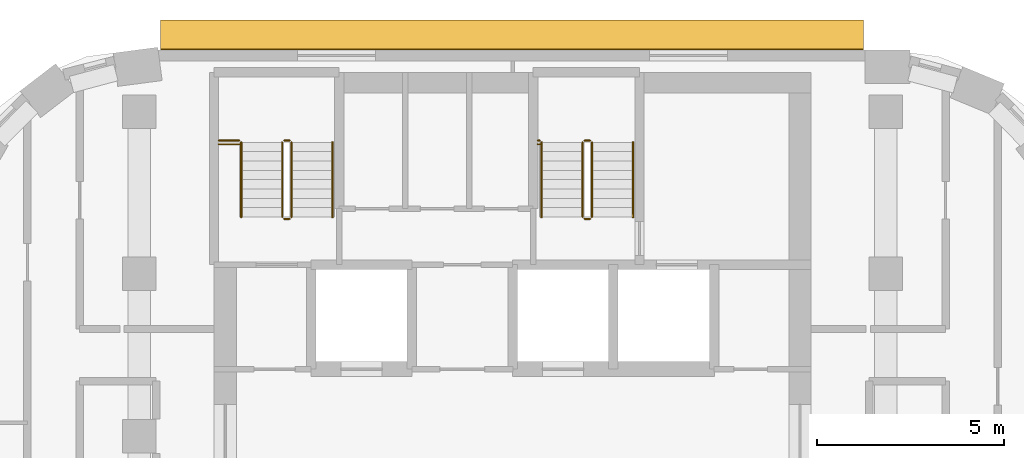
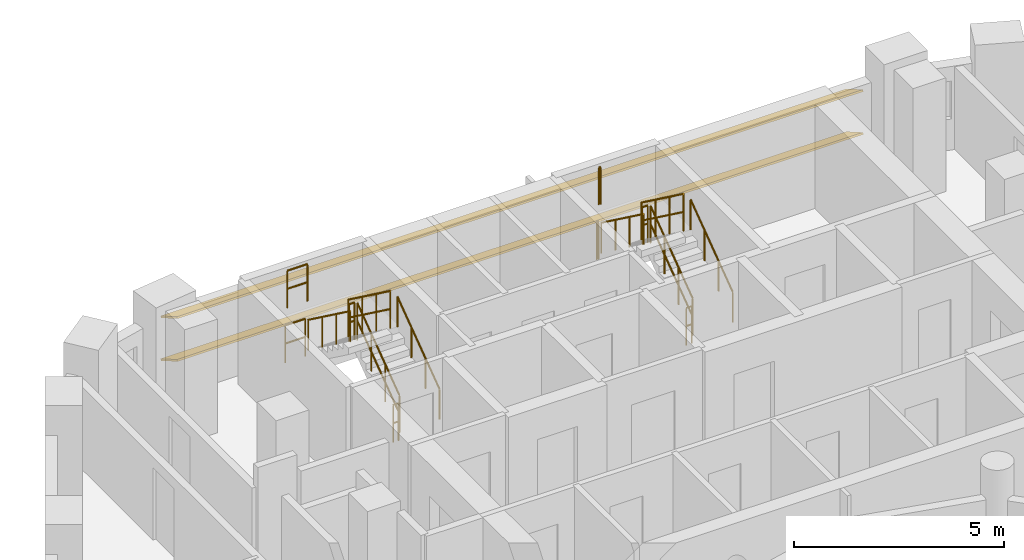
# One storey, part 17 of 17: 16 railings, 2 shading devices.
"""IFC4 building model written with IfcOpenShell, lengths in metres."""

from ifc_helpers import new_model, si_unit, direction, frame, origin, origin_2d, place, context, subcontext, project, spatial, rectangle, circle, extrude, material, material_profile, profile_set, type_object, element, save


model = new_model("IFC4")

# Units and contexts
model_context = context("Model", 3, precision=1e-05, world=origin(), true_north=direction((0.0, 1.0)))
body_context = subcontext(model_context, "Body", "Model", "MODEL_VIEW")
ifc_project = project(units=[si_unit("LENGTHUNIT", "METRE"), si_unit("AREAUNIT", "SQUARE_METRE"), si_unit("VOLUMEUNIT", "CUBIC_METRE"), si_unit("PLANEANGLEUNIT", "RADIAN"), si_unit("MASSUNIT", "GRAM", prefix="KILO")], contexts=[model_context])

# Site, building, storey
site_placement = place(None, origin())
site = spatial("IfcSite", under=ifc_project, at=site_placement, CompositionType="ELEMENT")
building_placement = place(site_placement, origin())
building = spatial("IfcBuilding", under=site, at=building_placement, Name="Nakaniwa Court", CompositionType="ELEMENT")
storey_placement = place(building_placement, frame((0.0, 0.0, 209.699951171875)))
storey = spatial("IfcBuildingStorey", under=building, at=storey_placement, Name="L55", CompositionType="ELEMENT", Elevation=209.699951171875)

# Shading devices
ifc_material_1 = material(Name="Perforated charcoal ceramic louvre blade")
ifc_material_profile = material_profile(ifc_material_1, rectangle(XDim=0.89990234375, YDim=0.050048828125, at=origin_2d()), Name="Perforated ceramic louvre blade")
ifc_profile_set = profile_set([ifc_material_profile], Name="Perforated charcoal ceramic louvre blade")
shading_device_type = type_object("IfcShadingDeviceType", Name="Perforated ceramic louvre blade", PredefinedType="JALOUSIE", material=ifc_profile_set)
for number, where, z_axis, x_axis, name in (
    (1, (89.3994140625, 103.05224609375, 0.550048828125), (-1.0, 0.0, 0.0), (0.0, -0.866025403784, 0.5), "L55 perforated ceramic louvre blade w08 1"),
    (2, (89.3994140625, 103.05224609375, 1.79345703125), (-1.0, 0.0, 0.0), (0.0, -0.866025403784, 0.5), "L55 perforated ceramic louvre blade w08 2"),
):
    element("IfcShadingDevice", number, at=place(storey_placement, frame(where, z_axis=z_axis, x_axis=x_axis)), inside=storey, type_object=shading_device_type, Name=name, PredefinedType="JALOUSIE", context=body_context, shape_type="SweptSolid", body=[
        extrude(rectangle(XDim=0.89990234375, YDim=0.050048828125, at=origin_2d()), origin(), (0.0, 0.0, 1.0), 18.8330078125),
    ])

# Railings
ifc_material_2 = material(Name="Black powder coated steel guard", Category="steel")
railing_type_1 = type_object("IfcRailingType", Name="Stair guard 1100", PredefinedType="GUARDRAIL", material=ifc_material_2)
railing_1_placement = place(storey_placement, frame((74.074951171875, 98.175048828125, 0.183349609375)))
element("IfcRailing", 3, at=railing_1_placement, inside=storey, type_object=railing_type_1, Name="L55 ST1 stair guard 1", PredefinedType="GUARDRAIL", context=body_context, shape_type="SweptSolid", body=[
    extrude(circle(Radius=0.02392578125, at=origin_2d()), frame((0.0, 0.0, 1.076171875), z_axis=(0.0, 0.806379959628, 0.591397802423), x_axis=(-1.0, 0.0, 0.0)), (0.0, 0.0, 1.0), 2.480224609375),
    extrude(circle(Radius=0.02392578125, at=origin_2d()), frame((0.0, 0.0, 0.550048828125), z_axis=(0.0, 0.806379959628, 0.591397802423), x_axis=(-1.0, 0.0, 0.0)), (0.0, 0.0, 1.0), 2.480224609375),
    extrude(circle(Radius=0.02099609375, at=origin_2d()), origin(), (0.0, 0.0, 1.0), 1.052001953125),
    extrude(circle(Radius=0.02099609375, at=origin_2d()), frame((0.0, 0.666748046875, 0.489013671875)), (0.0, 0.0, 1.0), 1.052001953125),
    extrude(circle(Radius=0.02099609375, at=origin_2d()), frame((0.0, 1.333251953125, 0.977783203125)), (0.0, 0.0, 1.0), 1.052001953125),
    extrude(circle(Radius=0.02099609375, at=origin_2d()), frame((0.0, 2.0, 1.466796875)), (0.0, 0.0, 1.0), 1.052001953125),
])
railing_2_placement = place(storey_placement, frame((74.02490234375, 100.22509765625, 1.650146484375)))
element("IfcRailing", 4, at=railing_2_placement, inside=storey, type_object=railing_type_1, Name="L55 ST1 stair guard 2", PredefinedType="GUARDRAIL", context=body_context, shape_type="SweptSolid", body=[
    extrude(circle(Radius=0.02392578125, at=origin_2d()), frame((0.0, 0.0, 1.076171875), z_axis=(-1.0, 0.0, 0.0), x_axis=(0.0, -1.0, 0.0)), (0.0, 0.0, 1.0), 0.14990234375),
    extrude(circle(Radius=0.02392578125, at=origin_2d()), frame((0.0, 0.0, 0.550048828125), z_axis=(-1.0, 0.0, 0.0), x_axis=(0.0, -1.0, 0.0)), (0.0, 0.0, 1.0), 0.14990234375),
    extrude(circle(Radius=0.02099609375, at=origin_2d()), origin(), (0.0, 0.0, 1.0), 1.052001953125),
    extrude(circle(Radius=0.02099609375, at=origin_2d()), frame((-0.14990234375, 0.0, 0.0)), (0.0, 0.0, 1.0), 1.052001953125),
])
railing_3_placement = place(storey_placement, frame((73.824951171875, 100.175048828125, 1.83349609375)))
element("IfcRailing", 5, at=railing_3_placement, inside=storey, type_object=railing_type_1, Name="L55 ST1 stair guard 3", PredefinedType="GUARDRAIL", context=body_context, shape_type="SweptSolid", body=[
    extrude(circle(Radius=0.02392578125, at=origin_2d()), frame((0.0, 0.0, 1.076171875), z_axis=(0.0, -0.806426902644, 0.591333789573), x_axis=(1.0, 0.0, 0.0)), (0.0, 0.0, 1.0), 2.47998046875),
    extrude(circle(Radius=0.02392578125, at=origin_2d()), frame((0.0, 0.0, 0.550048828125), z_axis=(0.0, -0.806426902644, 0.591333789573), x_axis=(1.0, 0.0, 0.0)), (0.0, 0.0, 1.0), 2.47998046875),
    extrude(circle(Radius=0.02099609375, at=origin_2d()), origin(), (0.0, 0.0, 1.0), 1.052001953125),
    extrude(circle(Radius=0.02099609375, at=origin_2d()), frame((0.0, -0.666748046875, 0.48876953125)), (0.0, 0.0, 1.0), 1.052001953125),
    extrude(circle(Radius=0.02099609375, at=origin_2d()), frame((0.0, -1.333251953125, 0.977783203125)), (0.0, 0.0, 1.0), 1.052001953125),
    extrude(circle(Radius=0.02099609375, at=origin_2d()), frame((0.0, -2.0, 1.466552734375)), (0.0, 0.0, 1.0), 1.052001953125),
])
railing_4_placement = place(storey_placement, frame((74.02490234375, 98.125, 0.0)))
element("IfcRailing", 6, at=railing_4_placement, inside=storey, type_object=railing_type_1, Name="L55 ST1 stair guard 4", PredefinedType="GUARDRAIL", context=body_context, shape_type="SweptSolid", body=[
    extrude(circle(Radius=0.02392578125, at=origin_2d()), frame((0.0, 0.0, 1.076171875), z_axis=(-1.0, 0.0, 0.0), x_axis=(0.0, -1.0, 0.0)), (0.0, 0.0, 1.0), 0.14990234375),
    extrude(circle(Radius=0.02392578125, at=origin_2d()), frame((0.0, 0.0, 0.550048828125), z_axis=(-1.0, 0.0, 0.0), x_axis=(0.0, -1.0, 0.0)), (0.0, 0.0, 1.0), 0.14990234375),
    extrude(circle(Radius=0.02099609375, at=origin_2d()), origin(), (0.0, 0.0, 1.0), 1.052001953125),
    extrude(circle(Radius=0.02099609375, at=origin_2d()), frame((-0.14990234375, 0.0, 0.0)), (0.0, 0.0, 1.0), 1.052001953125),
])
for number, where, name in (
    (7, (72.125, 100.22509765625, 1.650146484375), "L55 ST1 landing side guard 1W"),
    (8, (72.125, 100.125, 3.300048828125), "L55 ST1 floor edge guard 1W"),
):
    element("IfcRailing", number, at=place(storey_placement, frame(where)), inside=storey, type_object=railing_type_1, Name=name, PredefinedType="GUARDRAIL", context=body_context, shape_type="SweptSolid", body=[
        extrude(circle(Radius=0.02392578125, at=origin_2d()), frame((0.0, 0.0, 1.076171875), z_axis=(1.0, 0.0, 0.0), x_axis=(0.0, 1.0, 0.0)), (0.0, 0.0, 1.0), 0.550048828125),
        extrude(circle(Radius=0.02392578125, at=origin_2d()), frame((0.0, 0.0, 0.550048828125), z_axis=(1.0, 0.0, 0.0), x_axis=(0.0, 1.0, 0.0)), (0.0, 0.0, 1.0), 0.550048828125),
        extrude(circle(Radius=0.02099609375, at=origin_2d()), origin(), (0.0, 0.0, 1.0), 1.052001953125),
        extrude(circle(Radius=0.02099609375, at=origin_2d()), frame((0.550048828125, 0.0, 0.0)), (0.0, 0.0, 1.0), 1.052001953125),
    ])
railing_5_placement = place(storey_placement, frame((82.125, 98.175048828125, 0.183349609375)))
element("IfcRailing", 9, at=railing_5_placement, inside=storey, type_object=railing_type_1, Name="L55 ST2 stair guard 1", PredefinedType="GUARDRAIL", context=body_context, shape_type="SweptSolid", body=[
    extrude(circle(Radius=0.02392578125, at=origin_2d()), frame((0.0, 0.0, 1.076171875), z_axis=(0.0, 0.806379959628, 0.591397802423), x_axis=(-1.0, 0.0, 0.0)), (0.0, 0.0, 1.0), 2.480224609375),
    extrude(circle(Radius=0.02392578125, at=origin_2d()), frame((0.0, 0.0, 0.550048828125), z_axis=(0.0, 0.806379959628, 0.591397802423), x_axis=(-1.0, 0.0, 0.0)), (0.0, 0.0, 1.0), 2.480224609375),
    extrude(circle(Radius=0.02099609375, at=origin_2d()), origin(), (0.0, 0.0, 1.0), 1.052001953125),
    extrude(circle(Radius=0.02099609375, at=origin_2d()), frame((0.0, 0.666748046875, 0.489013671875)), (0.0, 0.0, 1.0), 1.052001953125),
    extrude(circle(Radius=0.02099609375, at=origin_2d()), frame((0.0, 1.333251953125, 0.977783203125)), (0.0, 0.0, 1.0), 1.052001953125),
    extrude(circle(Radius=0.02099609375, at=origin_2d()), frame((0.0, 2.0, 1.466796875)), (0.0, 0.0, 1.0), 1.052001953125),
])
railing_6_placement = place(storey_placement, frame((82.074951171875, 100.22509765625, 1.650146484375)))
element("IfcRailing", 10, at=railing_6_placement, inside=storey, type_object=railing_type_1, Name="L55 ST2 stair guard 2", PredefinedType="GUARDRAIL", context=body_context, shape_type="SweptSolid", body=[
    extrude(circle(Radius=0.02392578125, at=origin_2d()), frame((0.0, 0.0, 1.076171875), z_axis=(-1.0, 0.0, 0.0), x_axis=(0.0, -1.0, 0.0)), (0.0, 0.0, 1.0), 0.14990234375),
    extrude(circle(Radius=0.02392578125, at=origin_2d()), frame((0.0, 0.0, 0.550048828125), z_axis=(-1.0, 0.0, 0.0), x_axis=(0.0, -1.0, 0.0)), (0.0, 0.0, 1.0), 0.14990234375),
    extrude(circle(Radius=0.02099609375, at=origin_2d()), origin(), (0.0, 0.0, 1.0), 1.052001953125),
    extrude(circle(Radius=0.02099609375, at=origin_2d()), frame((-0.14990234375, 0.0, 0.0)), (0.0, 0.0, 1.0), 1.052001953125),
])
railing_7_placement = place(storey_placement, frame((81.875, 100.175048828125, 1.83349609375)))
element("IfcRailing", 11, at=railing_7_placement, inside=storey, type_object=railing_type_1, Name="L55 ST2 stair guard 3", PredefinedType="GUARDRAIL", context=body_context, shape_type="SweptSolid", body=[
    extrude(circle(Radius=0.02392578125, at=origin_2d()), frame((0.0, 0.0, 1.076171875), z_axis=(0.0, -0.806426902644, 0.591333789573), x_axis=(1.0, 0.0, 0.0)), (0.0, 0.0, 1.0), 2.47998046875),
    extrude(circle(Radius=0.02392578125, at=origin_2d()), frame((0.0, 0.0, 0.550048828125), z_axis=(0.0, -0.806426902644, 0.591333789573), x_axis=(1.0, 0.0, 0.0)), (0.0, 0.0, 1.0), 2.47998046875),
    extrude(circle(Radius=0.02099609375, at=origin_2d()), origin(), (0.0, 0.0, 1.0), 1.052001953125),
    extrude(circle(Radius=0.02099609375, at=origin_2d()), frame((0.0, -0.666748046875, 0.48876953125)), (0.0, 0.0, 1.0), 1.052001953125),
    extrude(circle(Radius=0.02099609375, at=origin_2d()), frame((0.0, -1.333251953125, 0.977783203125)), (0.0, 0.0, 1.0), 1.052001953125),
    extrude(circle(Radius=0.02099609375, at=origin_2d()), frame((0.0, -2.0, 1.466552734375)), (0.0, 0.0, 1.0), 1.052001953125),
])
railing_8_placement = place(storey_placement, frame((82.074951171875, 98.125, 0.0)))
element("IfcRailing", 12, at=railing_8_placement, inside=storey, type_object=railing_type_1, Name="L55 ST2 stair guard 4", PredefinedType="GUARDRAIL", context=body_context, shape_type="SweptSolid", body=[
    extrude(circle(Radius=0.02392578125, at=origin_2d()), frame((0.0, 0.0, 1.076171875), z_axis=(-1.0, 0.0, 0.0), x_axis=(0.0, -1.0, 0.0)), (0.0, 0.0, 1.0), 0.14990234375),
    extrude(circle(Radius=0.02392578125, at=origin_2d()), frame((0.0, 0.0, 0.550048828125), z_axis=(-1.0, 0.0, 0.0), x_axis=(0.0, -1.0, 0.0)), (0.0, 0.0, 1.0), 0.14990234375),
    extrude(circle(Radius=0.02099609375, at=origin_2d()), origin(), (0.0, 0.0, 1.0), 1.052001953125),
    extrude(circle(Radius=0.02099609375, at=origin_2d()), frame((-0.14990234375, 0.0, 0.0)), (0.0, 0.0, 1.0), 1.052001953125),
])
for number, where, name in (
    (13, (80.675048828125, 100.22509765625, 1.650146484375), "L55 ST2 landing side guard 1W"),
    (14, (80.675048828125, 100.125, 3.300048828125), "L55 ST2 floor edge guard 1W"),
):
    element("IfcRailing", number, at=place(storey_placement, frame(where)), inside=storey, type_object=railing_type_1, Name=name, PredefinedType="GUARDRAIL", context=body_context, shape_type="SweptSolid", body=[
        extrude(circle(Radius=0.02392578125, at=origin_2d()), frame((0.0, 0.0, 1.076171875), z_axis=(1.0, 0.0, 0.0), x_axis=(0.0, 1.0, 0.0)), (0.0, 0.0, 1.0), 0.050048828125),
        extrude(circle(Radius=0.02392578125, at=origin_2d()), frame((0.0, 0.0, 0.550048828125), z_axis=(1.0, 0.0, 0.0), x_axis=(0.0, 1.0, 0.0)), (0.0, 0.0, 1.0), 0.050048828125),
        extrude(circle(Radius=0.02099609375, at=origin_2d()), origin(), (0.0, 0.0, 1.0), 1.052001953125),
        extrude(circle(Radius=0.02099609375, at=origin_2d()), frame((0.050048828125, 0.0, 0.0)), (0.0, 0.0, 1.0), 1.052001953125),
    ])
ifc_material_3 = material(Name="Black powder coated steel handrail", Category="steel")
railing_type_2 = type_object("IfcRailingType", Name="Stair handrail 900", PredefinedType="HANDRAIL", material=ifc_material_3)
railing_9_placement = place(storey_placement, frame((75.175048828125, 98.175048828125, 0.183349609375)))
element("IfcRailing", 15, at=railing_9_placement, inside=storey, type_object=railing_type_2, Name="L55 ST1 stair handrail 1", PredefinedType="HANDRAIL", context=body_context, shape_type="SweptSolid", body=[
    extrude(circle(Radius=0.02392578125, at=origin_2d()), frame((0.0, 0.0, 0.8759765625), z_axis=(0.0, 0.806379959628, 0.591397802423), x_axis=(-1.0, 0.0, 0.0)), (0.0, 0.0, 1.0), 2.480224609375),
    extrude(circle(Radius=0.02099609375, at=origin_2d()), origin(), (0.0, 0.0, 1.0), 0.851806640625),
    extrude(circle(Radius=0.02099609375, at=origin_2d()), frame((0.0, 0.666748046875, 0.489013671875)), (0.0, 0.0, 1.0), 0.851806640625),
    extrude(circle(Radius=0.02099609375, at=origin_2d()), frame((0.0, 1.333251953125, 0.977783203125)), (0.0, 0.0, 1.0), 0.851806640625),
    extrude(circle(Radius=0.02099609375, at=origin_2d()), frame((0.0, 2.0, 1.466796875)), (0.0, 0.0, 1.0), 0.851806640625),
])
railing_10_placement = place(storey_placement, frame((72.72509765625, 100.175048828125, 1.83349609375)))
element("IfcRailing", 16, at=railing_10_placement, inside=storey, type_object=railing_type_2, Name="L55 ST1 stair handrail 2", PredefinedType="HANDRAIL", context=body_context, shape_type="SweptSolid", body=[
    extrude(circle(Radius=0.02392578125, at=origin_2d()), frame((0.0, 0.0, 0.8759765625), z_axis=(0.0, -0.806426902644, 0.591333789573), x_axis=(1.0, 0.0, 0.0)), (0.0, 0.0, 1.0), 2.47998046875),
    extrude(circle(Radius=0.02099609375, at=origin_2d()), origin(), (0.0, 0.0, 1.0), 0.851806640625),
    extrude(circle(Radius=0.02099609375, at=origin_2d()), frame((0.0, -0.666748046875, 0.48876953125)), (0.0, 0.0, 1.0), 0.851806640625),
    extrude(circle(Radius=0.02099609375, at=origin_2d()), frame((0.0, -1.333251953125, 0.977783203125)), (0.0, 0.0, 1.0), 0.851806640625),
    extrude(circle(Radius=0.02099609375, at=origin_2d()), frame((0.0, -2.0, 1.466552734375)), (0.0, 0.0, 1.0), 0.851806640625),
])
railing_11_placement = place(storey_placement, frame((83.22509765625, 98.175048828125, 0.183349609375)))
element("IfcRailing", 17, at=railing_11_placement, inside=storey, type_object=railing_type_2, Name="L55 ST2 stair handrail 1", PredefinedType="HANDRAIL", context=body_context, shape_type="SweptSolid", body=[
    extrude(circle(Radius=0.02392578125, at=origin_2d()), frame((0.0, 0.0, 0.8759765625), z_axis=(0.0, 0.806379959628, 0.591397802423), x_axis=(-1.0, 0.0, 0.0)), (0.0, 0.0, 1.0), 2.480224609375),
    extrude(circle(Radius=0.02099609375, at=origin_2d()), origin(), (0.0, 0.0, 1.0), 0.851806640625),
    extrude(circle(Radius=0.02099609375, at=origin_2d()), frame((0.0, 0.666748046875, 0.489013671875)), (0.0, 0.0, 1.0), 0.851806640625),
    extrude(circle(Radius=0.02099609375, at=origin_2d()), frame((0.0, 1.333251953125, 0.977783203125)), (0.0, 0.0, 1.0), 0.851806640625),
    extrude(circle(Radius=0.02099609375, at=origin_2d()), frame((0.0, 2.0, 1.466796875)), (0.0, 0.0, 1.0), 0.851806640625),
])
railing_12_placement = place(storey_placement, frame((80.77490234375, 100.175048828125, 1.83349609375)))
element("IfcRailing", 18, at=railing_12_placement, inside=storey, type_object=railing_type_2, Name="L55 ST2 stair handrail 2", PredefinedType="HANDRAIL", context=body_context, shape_type="SweptSolid", body=[
    extrude(circle(Radius=0.02392578125, at=origin_2d()), frame((0.0, 0.0, 0.8759765625), z_axis=(0.0, -0.806426902644, 0.591333789573), x_axis=(1.0, 0.0, 0.0)), (0.0, 0.0, 1.0), 2.47998046875),
    extrude(circle(Radius=0.02099609375, at=origin_2d()), origin(), (0.0, 0.0, 1.0), 0.851806640625),
    extrude(circle(Radius=0.02099609375, at=origin_2d()), frame((0.0, -0.666748046875, 0.48876953125)), (0.0, 0.0, 1.0), 0.851806640625),
    extrude(circle(Radius=0.02099609375, at=origin_2d()), frame((0.0, -1.333251953125, 0.977783203125)), (0.0, 0.0, 1.0), 0.851806640625),
    extrude(circle(Radius=0.02099609375, at=origin_2d()), frame((0.0, -2.0, 1.466552734375)), (0.0, 0.0, 1.0), 0.851806640625),
])

save(model, "model.ifc")
